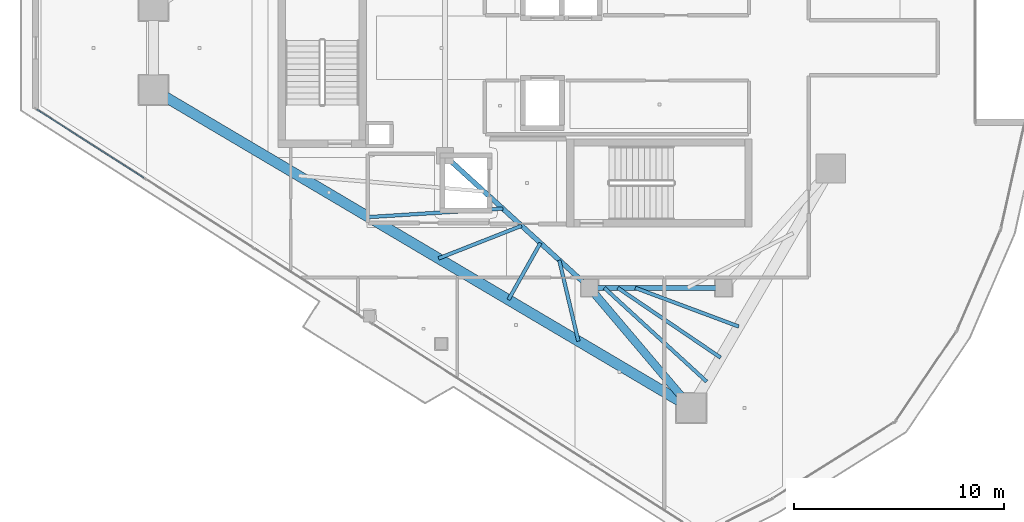
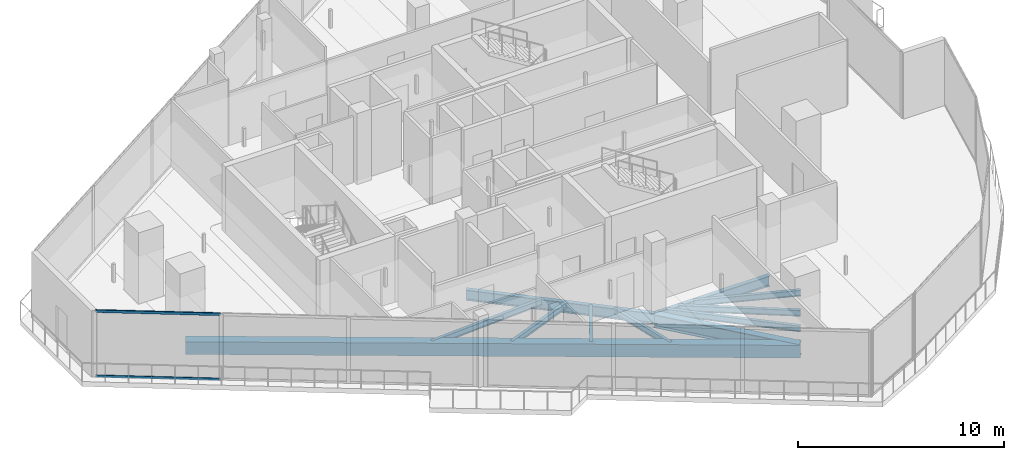
# One storey, part 5 of 27: 11 beams, 2 members, 1 element without a shape of its own.
"""IFC4 building model written with IfcOpenShell, lengths in metres."""

from ifc_helpers import new_model, si_unit, direction, frame, origin, origin_2d, place, context, subcontext, project, spatial, rectangle, hollow_rectangle, i_section, extrude, material, layer, layer_set, material_profile, profile_set, type_object, element, aggregate, save


model = new_model("IFC4")

# Units and contexts
model_context = context("Model", 3, precision=1e-05, world=origin(), true_north=direction((0.0, 1.0)))
body_context = subcontext(model_context, "Body", "Model", "MODEL_VIEW")
ifc_project = project(units=[si_unit("LENGTHUNIT", "METRE"), si_unit("AREAUNIT", "SQUARE_METRE"), si_unit("VOLUMEUNIT", "CUBIC_METRE"), si_unit("PLANEANGLEUNIT", "RADIAN"), si_unit("MASSUNIT", "GRAM", prefix="KILO")], contexts=[model_context])

# Site, building, storey
site_placement = place(None, origin())
site = spatial("IfcSite", under=ifc_project, at=site_placement, CompositionType="ELEMENT")
building_placement = place(site_placement, origin())
building = spatial("IfcBuilding", under=site, at=building_placement, Name="Qorvath Tower", CompositionType="ELEMENT")
storey_placement = place(building_placement, frame((0.0, 0.0, 293.39990234375)))
storey = spatial("IfcBuildingStorey", under=building, at=storey_placement, Name="L68", CompositionType="ELEMENT", Elevation=293.39990234375)

# Beams
ifc_material_1 = material(Name="Steel ASTM A992 Grade 50", Category="steel")
ifc_material_profile_1 = material_profile(ifc_material_1, i_section(OverallWidth=0.381103515625, OverallDepth=0.77294921875, WebThickness=0.0166015625, FlangeThickness=0.027099609375, FilletRadius=0.01904296875, at=origin_2d()), Name="W30x173")
ifc_profile_set_1 = profile_set([ifc_material_profile_1], Name="Steel ASTM A992 Grade 50")
beam_type_1 = type_object("IfcBeamType", Name="BM-FG3", PredefinedType="BEAM", material=ifc_profile_set_1)
beam_1_placement = place(storey_placement, frame((-23.60009765625, -11.449951171875, -0.67626953125), z_axis=(0.646321389876, -0.763065305848, 0.0), x_axis=(0.763065305848, 0.646321389876, 0.0)))
element("IfcBeam", 1, at=beam_1_placement, inside=storey, type_object=beam_type_1, Name="Radial Floor Girder CC4-MC3 L68", PredefinedType="BEAM", context=body_context, shape_type="SweptSolid", body=[
    extrude(i_section(OverallWidth=0.381103515625, OverallDepth=0.77294921875, WebThickness=0.0166015625, FlangeThickness=0.027099609375, FilletRadius=0.01904296875, at=origin_2d()), origin(), (0.0, 0.0, 1.0), 7.50341796875),
])
ifc_material_2 = material(Name="Steel ASTM A992 Grade 50", Category="steel")
ifc_material_profile_2 = material_profile(ifc_material_2, i_section(OverallWidth=0.22998046875, OverallDepth=0.616943359375, WebThickness=0.01318359375, FlangeThickness=0.022216796875, FilletRadius=0.014892578125, at=origin_2d()), Name="W24x94")
ifc_profile_set_2 = profile_set([ifc_material_profile_2], Name="Steel ASTM A992 Grade 50")
beam_type_2 = type_object("IfcBeamType", Name="BM-FG6", PredefinedType="BEAM", material=ifc_profile_set_2)
beam_2_placement = place(storey_placement, frame((-17.199951171875, -11.449951171875, -0.598388671875), z_axis=(-1.0, 0.0, 0.0), x_axis=(0.0, -1.0, 0.0)))
element("IfcBeam", 2, at=beam_2_placement, inside=storey, type_object=beam_type_2, Name="Core Ring Girder CC3-CC4 L68", PredefinedType="BEAM", context=body_context, shape_type="SweptSolid", body=[
    extrude(i_section(OverallWidth=0.22998046875, OverallDepth=0.616943359375, WebThickness=0.01318359375, FlangeThickness=0.022216796875, FilletRadius=0.014892578125, at=origin_2d()), origin(), (0.0, 0.0, 1.0), 6.400146484375),
])
beam_3_placement = place(storey_placement, frame((-23.60009765625, -11.449951171875, -0.598388671875), z_axis=(-0.73847813985, 0.6742774184, 0.0), x_axis=(-0.6742774184, -0.73847813985, 0.0)))
element("IfcBeam", 3, at=beam_3_placement, inside=storey, type_object=beam_type_2, Name="Core Ring Girder CC4-CC6 L68", PredefinedType="BEAM", context=body_context, shape_type="SweptSolid", body=[
    extrude(i_section(OverallWidth=0.22998046875, OverallDepth=0.616943359375, WebThickness=0.01318359375, FlangeThickness=0.022216796875, FilletRadius=0.014892578125, at=origin_2d()), origin(), (0.0, 0.0, 1.0), 9.343505859375),
])
ifc_material_3 = material(Name="Steel ASTM A992 Grade 50", Category="steel")
ifc_material_profile_3 = material_profile(ifc_material_3, i_section(OverallWidth=0.1708984375, OverallDepth=0.35107421875, WebThickness=0.0068359375, FlangeThickness=0.009765625, FilletRadius=0.010009765625, at=origin_2d()), Name="W14x30")
ifc_profile_set_3 = profile_set([ifc_material_profile_3], Name="Steel ASTM A992 Grade 50")
beam_type_3 = type_object("IfcBeamType", Name="BM-FJ4", PredefinedType="JOIST", material=ifc_profile_set_3)
beam_4_placement = place(storey_placement, frame((-21.424072265625, -11.449951171875, -0.46533203125), z_axis=(0.936775909139, -0.349929844478, 0.0), x_axis=(0.349929844478, 0.936775909139, 0.0)))
element("IfcBeam", 4, at=beam_4_placement, inside=storey, type_object=beam_type_3, Name="Composite Floor Joist SE5 L68", PredefinedType="JOIST", context=body_context, shape_type="SweptSolid", body=[
    extrude(i_section(OverallWidth=0.1708984375, OverallDepth=0.35107421875, WebThickness=0.0068359375, FlangeThickness=0.009765625, FilletRadius=0.010009765625, at=origin_2d()), origin(), (0.0, 0.0, 1.0), 5.268798828125),
])
beam_5_placement = place(storey_placement, frame((-22.256103515625, -11.449951171875, -0.46533203125), z_axis=(0.827400561462, -0.56161224247, 0.0), x_axis=(0.56161224247, 0.827400561462, 0.0)))
element("IfcBeam", 5, at=beam_5_placement, inside=storey, type_object=beam_type_3, Name="Composite Floor Joist SE6 L68", PredefinedType="JOIST", context=body_context, shape_type="SweptSolid", body=[
    extrude(i_section(OverallWidth=0.1708984375, OverallDepth=0.35107421875, WebThickness=0.0068359375, FlangeThickness=0.009765625, FilletRadius=0.010009765625, at=origin_2d()), origin(), (0.0, 0.0, 1.0), 5.925537109375),
])
beam_6_placement = place(storey_placement, frame((-22.89599609375, -11.449951171875, -0.46533203125), z_axis=(0.737232260457, -0.675639396528, 0.0), x_axis=(0.675639396528, 0.737232260457, 0.0)))
element("IfcBeam", 6, at=beam_6_placement, inside=storey, type_object=beam_type_3, Name="Composite Floor Joist SE7 L68", PredefinedType="JOIST", context=body_context, shape_type="SweptSolid", body=[
    extrude(i_section(OverallWidth=0.1708984375, OverallDepth=0.35107421875, WebThickness=0.0068359375, FlangeThickness=0.009765625, FilletRadius=0.010009765625, at=origin_2d()), origin(), (0.0, 0.0, 1.0), 6.615478515625),
])
beam_7_placement = place(storey_placement, frame((-27.739990234375, -7.669921875, -0.46533203125), z_axis=(-0.998006998641, -0.063103333222, 0.0), x_axis=(0.063103333222, -0.998006998641, 0.0)))
element("IfcBeam", 7, at=beam_7_placement, inside=storey, type_object=beam_type_3, Name="Composite Floor Joist SW3 L68", PredefinedType="JOIST", context=body_context, shape_type="SweptSolid", body=[
    extrude(i_section(OverallWidth=0.1708984375, OverallDepth=0.35107421875, WebThickness=0.0068359375, FlangeThickness=0.009765625, FilletRadius=0.010009765625, at=origin_2d()), origin(), (0.0, 0.0, 1.0), 6.41455078125),
])
beam_8_placement = place(storey_placement, frame((-26.843017578125, -8.489013671875, -0.46533203125), z_axis=(-0.930720832638, -0.365730408489, 0.0), x_axis=(0.365730408489, -0.930720832638, 0.0)))
element("IfcBeam", 8, at=beam_8_placement, inside=storey, type_object=beam_type_3, Name="Composite Floor Joist SW4 L68", PredefinedType="JOIST", context=body_context, shape_type="SweptSolid", body=[
    extrude(i_section(OverallWidth=0.1708984375, OverallDepth=0.35107421875, WebThickness=0.0068359375, FlangeThickness=0.009765625, FilletRadius=0.010009765625, at=origin_2d()), origin(), (0.0, 0.0, 1.0), 4.259033203125),
])
beam_9_placement = place(storey_placement, frame((-25.946044921875, -9.30810546875, -0.46533203125), z_axis=(-0.490626385489, -0.871370041866, 0.0), x_axis=(0.871370041866, -0.490626385489, 0.0)))
element("IfcBeam", 9, at=beam_9_placement, inside=storey, type_object=beam_type_3, Name="Composite Floor Joist SW5 L68", PredefinedType="JOIST", context=body_context, shape_type="SweptSolid", body=[
    extrude(i_section(OverallWidth=0.1708984375, OverallDepth=0.35107421875, WebThickness=0.0068359375, FlangeThickness=0.009765625, FilletRadius=0.010009765625, at=origin_2d()), origin(), (0.0, 0.0, 1.0), 3.110595703125),
])
beam_10_placement = place(storey_placement, frame((-25.049072265625, -10.126953125, -0.46533203125), z_axis=(0.22966321917, -0.973270160726, 0.0), x_axis=(0.973270160726, 0.22966321917, 0.0)))
element("IfcBeam", 10, at=beam_10_placement, inside=storey, type_object=beam_type_3, Name="Composite Floor Joist SW6 L68", PredefinedType="JOIST", context=body_context, shape_type="SweptSolid", body=[
    extrude(i_section(OverallWidth=0.1708984375, OverallDepth=0.35107421875, WebThickness=0.0068359375, FlangeThickness=0.009765625, FilletRadius=0.010009765625, at=origin_2d()), origin(), (0.0, 0.0, 1.0), 3.969482421875),
])
ifc_material_4 = material(Name="Concrete C45/55", Category="concrete")
ifc_material_profile_4 = material_profile(ifc_material_4, rectangle(XDim=0.5, YDim=0.75, at=origin_2d()), Name="RCB 750x500")
ifc_profile_set_4 = profile_set([ifc_material_profile_4], Name="Concrete C45/55")
beam_type_4 = type_object("IfcBeamType", Name="BM-RCB3", PredefinedType="SPANDREL", material=ifc_profile_set_4)
beam_11_placement = place(storey_placement, frame((-44.402587890625, -2.007568359375, -0.664794921875), z_axis=(0.860780849348, -0.508975765038, 0.0), x_axis=(0.508975765038, 0.860780849348, 0.0)))
element("IfcBeam", 11, at=beam_11_placement, inside=storey, type_object=beam_type_4, Name="Perimeter Loggia Frame Beam MC2-MC3 L68", PredefinedType="SPANDREL", context=body_context, shape_type="SweptSolid", body=[
    extrude(rectangle(XDim=0.5, YDim=0.75, at=origin_2d()), origin(), (0.0, 0.0, 1.0), 29.801025390625),
])

# Curtain wall, members
ifc_material_5 = material(Name="Anodised aluminium and triple low-E glass", Category="aluminium")
ifc_layer = layer(ifc_material_5, 0.179931640625)
ifc_layer_set = layer_set([ifc_layer], Name="CW-SYS-5")
curtain_wall_type = type_object("IfcCurtainWallType", Name="CW-SYS-5", PredefinedType="NOTDEFINED", material=ifc_layer_set)
curtain_wall_placement = place(storey_placement, origin())
curtain_wall = element("IfcCurtainWall", 12, at=curtain_wall_placement, inside=storey, type_object=curtain_wall_type, Name="Curtain Wall CW-5 CW-T-L68-2.1", PredefinedType="NOTDEFINED")
ifc_material_6 = material(Name="Anodised aluminium 6063-T6", Category="aluminium")
ifc_material_profile_5 = material_profile(ifc_material_6, hollow_rectangle(XDim=0.06494140625, YDim=0.159912109375, WallThickness=0.00341796875, InnerFilletRadius=0.00341796875, OuterFilletRadius=0.007080078125, at=origin_2d()), Name="CWT 160x65")
ifc_profile_set_5 = profile_set([ifc_material_profile_5], Name="Anodised aluminium 6063-T6")
member_type = type_object("IfcMemberType", Name="CWT-160", PredefinedType="USERDEFINED", material=ifc_profile_set_5)
member_1_placement = place(storey_placement, frame((-49.966796875, -2.9404296875, 0.032470703125), z_axis=(0.842603350989, -0.538534671959, 0.0), x_axis=(0.538534671959, 0.842603350989, 0.0)))
member_1 = element("IfcMember", 13, at=member_1_placement, type_object=member_type, Name="CW-5 transom 1.1", ObjectType="TRANSOM", PredefinedType="USERDEFINED", context=body_context, shape_type="SweptSolid", body=[
    extrude(hollow_rectangle(XDim=0.06494140625, YDim=0.159912109375, WallThickness=0.00341796875, InnerFilletRadius=0.00341796875, OuterFilletRadius=0.007080078125, at=origin_2d()), origin(), (0.0, 0.0, 1.0), 6.061279296875),
])
member_2_placement = place(storey_placement, frame((-49.966796875, -2.9404296875, 3.877685546875), z_axis=(0.842603350989, -0.538534671959, 0.0), x_axis=(0.538534671959, 0.842603350989, 0.0)))
member_2 = element("IfcMember", 14, at=member_2_placement, type_object=member_type, Name="CW-5 transom 1.2", ObjectType="TRANSOM", PredefinedType="USERDEFINED", context=body_context, shape_type="SweptSolid", body=[
    extrude(hollow_rectangle(XDim=0.06494140625, YDim=0.159912109375, WallThickness=0.00341796875, InnerFilletRadius=0.00341796875, OuterFilletRadius=0.007080078125, at=origin_2d()), origin(), (0.0, 0.0, 1.0), 6.061279296875),
])
aggregate(curtain_wall, [member_1, member_2])

save(model, "model.ifc")
